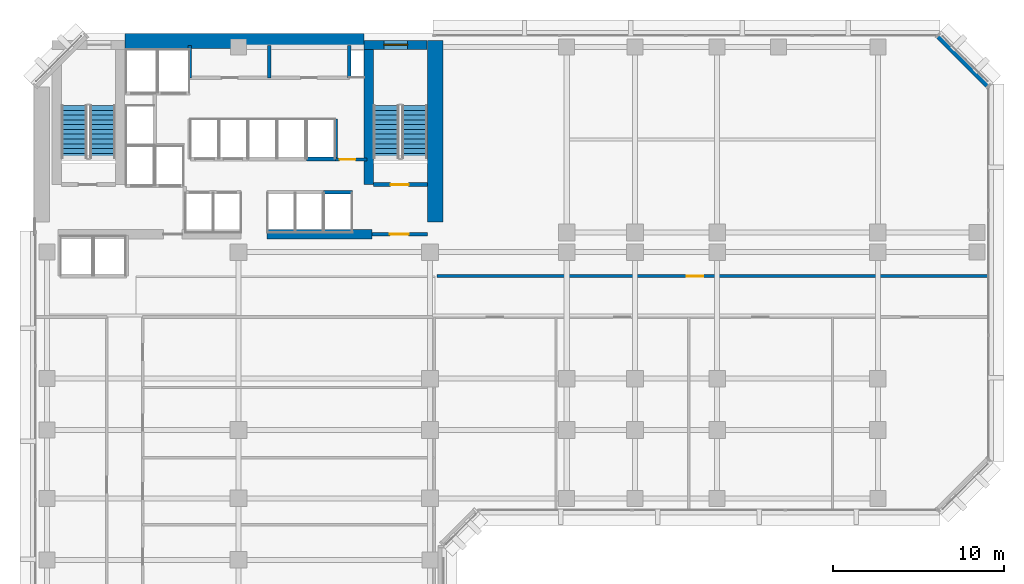
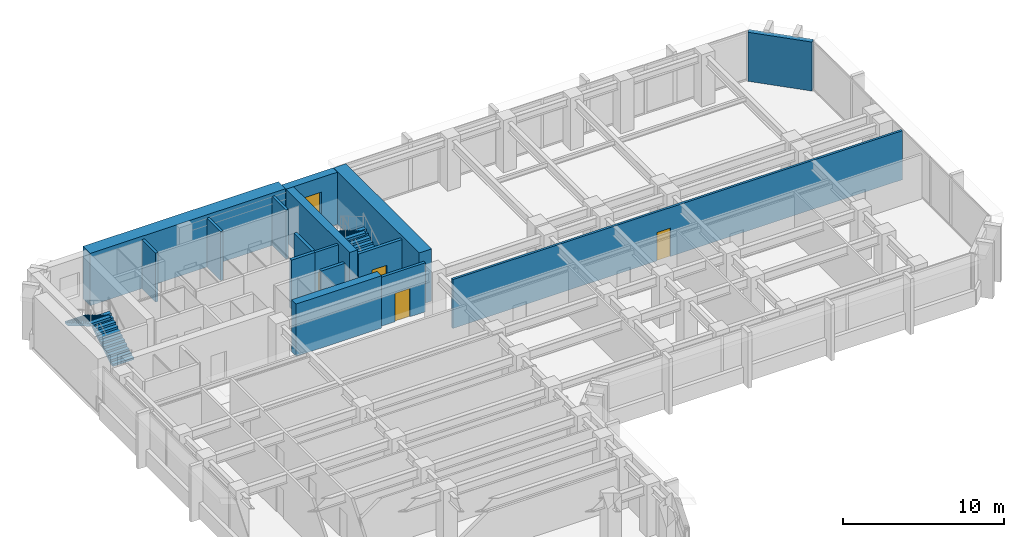
# One storey, part 8 of 13: 16 walls, 4 doors, 4 stair flights, 1 window, 5 openings, 2 elements without a shape of their own.
"""IFC4 building model written with IfcOpenShell, lengths in metres."""

from ifc_helpers import new_model, si_unit, direction, frame, frame_2d, origin, place, context, subcontext, project, spatial, polyline, rectangle, outline, extrude, material, layer, layer_set, type_object, element, fill, aggregate, save


model = new_model("IFC4")

# Units and contexts
model_context = context("Model", 3, precision=1e-05, world=origin(), true_north=direction((0.0, 1.0)))
body_context = subcontext(model_context, "Body", "Model", "MODEL_VIEW")
ifc_project = project(units=[si_unit("LENGTHUNIT", "METRE"), si_unit("AREAUNIT", "SQUARE_METRE"), si_unit("VOLUMEUNIT", "CUBIC_METRE"), si_unit("PLANEANGLEUNIT", "RADIAN"), si_unit("MASSUNIT", "GRAM", prefix="KILO")], contexts=[model_context])

# Site, building, storey
site_placement = place(None, origin())
site = spatial("IfcSite", under=ifc_project, at=site_placement, CompositionType="ELEMENT")
building_placement = place(site_placement, origin())
building = spatial("IfcBuilding", under=site, at=building_placement, Name="Kefirva Bronze Tower", CompositionType="ELEMENT")
storey_placement = place(building_placement, frame((0.0, 0.0, 85.800048828125)))
storey = spatial("IfcBuildingStorey", under=building, at=storey_placement, Name="L20", CompositionType="ELEMENT", Elevation=85.800048828125)

# Wall, opening, door
ifc_material_1 = material(Name="Gypsum fireboard shaftwall")
ifc_layer_1 = layer(ifc_material_1, 0.219970703125, Name="Gypsum fireboard shaftwall")
ifc_layer_set_1 = layer_set([ifc_layer_1], Name="Gypsum fireboard shaftwall")
wall_type_1 = type_object("IfcWallType", Name="Fire-Rated Shaft Enclosure Wall 220mm", PredefinedType="PARTITIONING", material=ifc_layer_set_1)
wall_1_placement = place(storey_placement, frame((19.89990234375, 37.14990234375, 0.0), z_axis=(0.0, 0.0, 1.0), x_axis=(1.0, 0.0, 0.0)))
wall_1 = element("IfcWall", 1, at=wall_1_placement, inside=storey, type_object=wall_type_1, Name="L20 Partition W-L20-ST2S", PredefinedType="PARTITIONING", context=body_context, shape_type="SweptSolid", body=[
    extrude(rectangle(XDim=3.150146484375, YDim=0.219970703125, at=frame_2d((1.5751953125, 0.0))), origin(), (0.0, 0.0, 1.0), 3.7099609375),
])
opening_1_placement = place(wall_1_placement, frame((2.050048828125, 0.0, 0.0), z_axis=(0.0, 0.0, 1.0), x_axis=(-1.0, 0.0, 0.0)))
opening_1 = element("IfcOpeningElement", 2, at=opening_1_placement, cuts=wall_1, Name="Opening L20-D003", PredefinedType="OPENING", context=body_context, shape_type="SweptSolid", body=[
    extrude(rectangle(XDim=1.050048828125, YDim=2.14990234375, at=frame_2d((0.52490234375, 1.074951171875))), frame((0.0, 0.1201171875, 0.0), z_axis=(0.0, -1.0, 0.0), x_axis=(1.0, 0.0, 0.0)), (0.0, 0.0, 1.0), 0.239990234375),
])
ifc_material_2 = material(Name="Painted galvanized steel", Category="steel")
door_type_1 = type_object("IfcDoorType", Name="Fire Stair Enclosure Door 1050x2150 FD90S", OperationType="NOTDEFINED", PredefinedType="DOOR", material=ifc_material_2)
door_1_placement = place(opening_1_placement, origin())
door_1 = element("IfcDoor", 3, at=door_1_placement, inside=storey, type_object=door_type_1, Name="Door L20-D003", OperationType="SINGLE_SWING_RIGHT", OverallHeight=2.14990234375, OverallWidth=1.050048828125, PredefinedType="DOOR", context=body_context, shape_type="SweptSolid", body=[
    extrude(rectangle(XDim=1.050048828125, YDim=2.14990234375, at=frame_2d((0.52490234375, 1.074951171875))), frame((0.0, 0.02490234375, 0.0), z_axis=(0.0, -1.0, 0.0), x_axis=(1.0, 0.0, 0.0)), (0.0, 0.0, 1.0), 0.050048828125),
])
fill(opening_1, door_1)

# Walls
wall_2_placement = place(storey_placement, frame((17.679931640625, 38.64990234375, 0.0), z_axis=(0.0, 0.0, 1.0), x_axis=(0.0, 1.0, 0.0)))
element("IfcWall", 4, at=wall_2_placement, inside=storey, type_object=wall_type_1, Name="L20 Partition W-L20-HP2E", PredefinedType="PARTITIONING", context=body_context, shape_type="SweptSolid", body=[
    extrude(rectangle(XDim=2.35009765625, YDim=0.199951171875, at=frame_2d((1.175048828125, 0.0))), origin(), (0.0, 0.0, 1.0), 3.7099609375),
])
wall_3_placement = place(storey_placement, frame((16.97998046875, 36.699951171875, 0.0), z_axis=(0.0, 0.0, 1.0), x_axis=(1.0, 0.0, 0.0)))
element("IfcWall", 5, at=wall_3_placement, inside=storey, type_object=wall_type_1, Name="L20 Partition W-L20-HPS", PredefinedType="PARTITIONING", context=body_context, shape_type="SweptSolid", body=[
    extrude(rectangle(XDim=1.699951171875, YDim=0.219970703125, at=frame_2d((0.85009765625, 0.0))), origin(), (0.0, 0.0, 1.0), 3.7099609375),
])
wall_4_placement = place(storey_placement, frame((15.97998046875, 38.64990234375, 0.0), z_axis=(0.0, 0.0, 1.0), x_axis=(1.0, 0.0, 0.0)))
element("IfcWall", 6, at=wall_4_placement, inside=storey, type_object=wall_type_1, Name="L20 Partition W-L20-HPN", PredefinedType="PARTITIONING", context=body_context, shape_type="SweptSolid", body=[
    extrude(rectangle(XDim=1.719970703125, YDim=0.219970703125, at=frame_2d((0.85986328125, 0.0))), origin(), (0.0, 0.0, 1.0), 3.7099609375),
])

# Wall, opening, door
ifc_material_3 = material(Name="Gypsum fireboard barrier")
ifc_layer_2 = layer(ifc_material_3, 0.199951171875, Name="Gypsum fireboard barrier")
ifc_layer_set_2 = layer_set([ifc_layer_2], Name="Gypsum fireboard barrier")
wall_type_2 = type_object("IfcWallType", Name="Firefighting Lobby Barrier Wall 200mm", PredefinedType="PARTITIONING", material=ifc_layer_set_2)
wall_5_placement = place(storey_placement, frame((19.800048828125, 34.25, 0.0), z_axis=(0.0, 0.0, 1.0), x_axis=(1.0, 0.0, 0.0)))
wall_5 = element("IfcWall", 7, at=wall_5_placement, inside=storey, type_object=wall_type_2, Name="L20 Partition W-L20-ST2F", PredefinedType="PARTITIONING", context=body_context, shape_type="SweptSolid", body=[
    extrude(rectangle(XDim=3.25, YDim=0.199951171875, at=frame_2d((1.625, 0.0))), origin(), (0.0, 0.0, 1.0), 3.7099609375),
])
opening_2_placement = place(wall_5_placement, frame((2.150146484375, 0.0, 0.0), z_axis=(0.0, 0.0, 1.0), x_axis=(-1.0, 0.0, 0.0)))
opening_2 = element("IfcOpeningElement", 8, at=opening_2_placement, cuts=wall_5, Name="Opening L20-D004", PredefinedType="OPENING", context=body_context, shape_type="SweptSolid", body=[
    extrude(rectangle(XDim=1.10009765625, YDim=2.14990234375, at=frame_2d((0.550048828125, 1.074951171875))), frame((0.0, 0.10986328125, 0.0), z_axis=(0.0, -1.0, 0.0), x_axis=(1.0, 0.0, 0.0)), (0.0, 0.0, 1.0), 0.219970703125),
])
door_type_2 = type_object("IfcDoorType", Name="Firefighting Lobby Smoke Door 1100x2150 FD60S", OperationType="NOTDEFINED", PredefinedType="DOOR", material=ifc_material_2)
door_2_placement = place(opening_2_placement, origin())
door_2 = element("IfcDoor", 9, at=door_2_placement, inside=storey, type_object=door_type_2, Name="Door L20-D004", OperationType="SINGLE_SWING_LEFT", OverallHeight=2.14990234375, OverallWidth=1.10009765625, PredefinedType="DOOR", context=body_context, shape_type="SweptSolid", body=[
    extrude(rectangle(XDim=1.10009765625, YDim=2.14990234375, at=frame_2d((0.550048828125, 1.074951171875))), frame((0.0, 0.02490234375, 0.0), z_axis=(0.0, -1.0, 0.0), x_axis=(1.0, 0.0, 0.0)), (0.0, 0.0, 1.0), 0.050048828125),
])
fill(opening_2, door_2)

wall_6_placement = place(storey_placement, frame((17.679931640625, 38.6201171875, 0.0), z_axis=(0.0, 0.0, 1.0), x_axis=(1.0, 0.0, 0.0)))
wall_6 = element("IfcWall", 10, at=wall_6_placement, inside=storey, type_object=wall_type_2, Name="L20 Partition W-L20-CPASS", PredefinedType="PARTITIONING", context=body_context, shape_type="SweptSolid", body=[
    extrude(rectangle(XDim=1.840087890625, YDim=0.179931640625, at=frame_2d((0.919921875, 0.0))), origin(), (0.0, 0.0, 1.0), 3.7099609375),
])
opening_3_placement = place(wall_6_placement, frame((0.239990234375, 0.0, 0.0)))
opening_3 = element("IfcOpeningElement", 11, at=opening_3_placement, cuts=wall_6, Name="Opening L20-D-CPAS", PredefinedType="OPENING", context=body_context, shape_type="SweptSolid", body=[
    extrude(rectangle(XDim=0.919921875, YDim=2.10009765625, at=frame_2d((0.4599609375, 1.050048828125))), frame((0.0, 0.10009765625, 0.0), z_axis=(0.0, -1.0, 0.0), x_axis=(1.0, 0.0, 0.0)), (0.0, 0.0, 1.0), 0.199951171875),
])
ifc_material_4 = material(Name="Moisture-resistant timber", Category="wood")
door_type_3 = type_object("IfcDoorType", Name="Accessible Sanitary & WC Door 920x2100", OperationType="NOTDEFINED", PredefinedType="DOOR", material=ifc_material_4)
door_3_placement = place(opening_3_placement, origin())
door_3 = element("IfcDoor", 12, at=door_3_placement, inside=storey, type_object=door_type_3, Name="Door L20-D-CPAS", OperationType="SINGLE_SWING_RIGHT", OverallHeight=2.10009765625, OverallWidth=0.919921875, PredefinedType="DOOR", context=body_context, shape_type="SweptSolid", body=[
    extrude(rectangle(XDim=0.919921875, YDim=2.10009765625, at=frame_2d((0.4599609375, 1.050048828125))), frame((0.0, 0.02490234375, 0.0), z_axis=(0.0, -1.0, 0.0), x_axis=(1.0, 0.0, 0.0)), (0.0, 0.0, 1.0), 0.050048828125),
])
fill(opening_3, door_3)

# Wall
ifc_material_5 = material(Name="Precast concrete C40/50", Category="concrete")
ifc_layer_3 = layer(ifc_material_5, 0.320068359375, Name="Precast concrete C40/50")
ifc_layer_set_3 = layer_set([ifc_layer_3], Name="Precast concrete C40/50")
wall_type_3 = type_object("IfcWallType", Name="Precast Insulated Exterior Wall 320mm", PredefinedType="SOLIDWALL", material=ifc_layer_set_3)
wall_7_placement = place(storey_placement, frame((55.847900390625, 42.92578125, 0.0), z_axis=(0.0, 0.0, 1.0), x_axis=(-0.707106781187, 0.707106781187, 0.0)))
element("IfcWall", 13, at=wall_7_placement, inside=storey, type_object=wall_type_3, Name="L20 Exterior Facade Wall 5", PredefinedType="SOLIDWALL", context=body_context, shape_type="SweptSolid", body=[
    extrude(rectangle(XDim=4.132568359375, YDim=0.320068359375, at=frame_2d((2.06640625, 0.0))), origin(), (0.0, 0.0, 1.0), 3.7099609375),
])

# Wall, opening, door
ifc_material_6 = material(Name="Gypsum acoustic partition")
ifc_layer_4 = layer(ifc_material_6, 0.159912109375, Name="Gypsum acoustic partition")
ifc_layer_set_4 = layer_set([ifc_layer_4], Name="Gypsum acoustic partition")
wall_type_4 = type_object("IfcWallType", Name="Protected Corridor Partition 160mm", PredefinedType="PARTITIONING", material=ifc_layer_set_4)
wall_8_placement = place(storey_placement, frame((23.60009765625, 31.800048828125, 0.0), z_axis=(0.0, 0.0, 1.0), x_axis=(1.0, 0.0, 0.0)))
wall_8 = element("IfcWall", 14, at=wall_8_placement, inside=storey, type_object=wall_type_4, Name="L20 Partition W-L20-EWN", PredefinedType="PARTITIONING", context=body_context, shape_type="SweptSolid", body=[
    extrude(rectangle(XDim=32.2099609375, YDim=0.159912109375, at=frame_2d((16.10498046875, 0.0))), origin(), (0.0, 0.0, 1.0), 3.7099609375),
])
opening_4_placement = place(wall_8_placement, frame((14.6298828125, 0.0, 0.0)))
opening_4 = element("IfcOpeningElement", 15, at=opening_4_placement, cuts=wall_8, Name="Opening L20-D-EN1", PredefinedType="OPENING", context=body_context, shape_type="SweptSolid", body=[
    extrude(rectangle(XDim=0.949951171875, YDim=2.14990234375, at=frame_2d((0.47509765625, 1.074951171875))), frame((0.0, 0.08984375, 0.0), z_axis=(0.0, -1.0, 0.0), x_axis=(1.0, 0.0, 0.0)), (0.0, 0.0, 1.0), 0.179931640625),
])
ifc_material_7 = material(Name="Acoustic hardwood oak", Category="wood")
door_type_4 = type_object("IfcDoorType", Name="Office & Meeting Room Door 950x2150", OperationType="NOTDEFINED", PredefinedType="DOOR", material=ifc_material_7)
door_4_placement = place(opening_4_placement, origin())
door_4 = element("IfcDoor", 16, at=door_4_placement, inside=storey, type_object=door_type_4, Name="Door L20-D-EN1", OperationType="SINGLE_SWING_RIGHT", OverallHeight=2.14990234375, OverallWidth=0.949951171875, PredefinedType="DOOR", context=body_context, shape_type="SweptSolid", body=[
    extrude(rectangle(XDim=0.949951171875, YDim=2.14990234375, at=frame_2d((0.47509765625, 1.074951171875))), frame((0.0, 0.02490234375, 0.0), z_axis=(0.0, -1.0, 0.0), x_axis=(1.0, 0.0, 0.0)), (0.0, 0.0, 1.0), 0.050048828125),
])
fill(opening_4, door_4)

# Wall, opening, window
ifc_material_8 = material(Name="Concrete C50/60", Category="concrete")
ifc_layer_5 = layer(ifc_material_8, 0.550048828125, Name="Concrete C50/60")
ifc_layer_set_5 = layer_set([ifc_layer_5], Name="Concrete C50/60")
wall_type_5 = type_object("IfcWallType", Name="RC Rear Core Exterior Wall 550mm", PredefinedType="SHEAR", material=ifc_layer_set_5)
wall_9_placement = place(storey_placement, frame((19.35009765625, 45.320068359375, 0.0), z_axis=(0.0, 0.0, 1.0), x_axis=(1.0, 0.0, 0.0)))
wall_9 = element("IfcWall", 17, at=wall_9_placement, inside=storey, type_object=wall_type_5, Name="L20 Stair 2 North Shear Wall", PredefinedType="SHEAR", context=body_context, shape_type="SweptSolid", body=[
    extrude(rectangle(XDim=3.68994140625, YDim=0.550048828125, at=frame_2d((1.844970703125, 0.0))), origin(), (0.0, 0.0, 1.0), 3.9599609375),
])
opening_5_placement = place(wall_9_placement, frame((1.14990234375, 0.0, 1.050048828125)))
opening_5 = element("IfcOpeningElement", 18, at=opening_5_placement, cuts=wall_9, Name="Opening WN-03", PredefinedType="OPENING", context=body_context, shape_type="SweptSolid", body=[
    extrude(rectangle(XDim=1.39990234375, YDim=1.800048828125, at=frame_2d((0.699951171875, 0.89990234375))), frame((0.0, 0.28515625, 0.0), z_axis=(0.0, -1.0, 0.0), x_axis=(1.0, 0.0, 0.0)), (0.0, 0.0, 1.0), 0.570068359375),
])
ifc_material_9 = material(Name="Laminated low-E double glazing", Category="glass")
window_type = type_object("IfcWindowType", Name="Rear-Core Stair Daylight Window 1400x1800", PartitioningType="SINGLE_PANEL", PredefinedType="WINDOW", material=ifc_material_9)
window_placement = place(opening_5_placement, origin())
window = element("IfcWindow", 19, at=window_placement, inside=storey, type_object=window_type, Name="L20 Stair 2 Daylight Window", OverallHeight=1.800048828125, OverallWidth=1.39990234375, PartitioningType="SINGLE_PANEL", PredefinedType="WINDOW", context=body_context, shape_type="SweptSolid", body=[
    extrude(rectangle(XDim=1.39990234375, YDim=1.800048828125, at=frame_2d((0.699951171875, 0.89990234375))), frame((0.0, 0.030029296875, 0.0), z_axis=(0.0, -1.0, 0.0), x_axis=(1.0, 0.0, 0.0)), (0.0, 0.0, 1.0), 0.06005859375),
])
fill(opening_5, window)

# Walls
ifc_material_10 = material(Name="Concrete C60/75", Category="concrete")
ifc_layer_6 = layer(ifc_material_10, 0.89990234375, Name="Concrete C60/75")
ifc_layer_set_6 = layer_set([ifc_layer_6], Name="Concrete C60/75")
wall_type_6 = type_object("IfcWallType", Name="RC Rear Core Exterior Wall 900mm", PredefinedType="SHEAR", material=ifc_layer_set_6)
wall_10_placement = place(storey_placement, frame((5.360107421875, 45.550048828125, 0.0), z_axis=(0.0, 0.0, 1.0), x_axis=(1.0, 0.0, 0.0)))
element("IfcWall", 20, at=wall_10_placement, inside=storey, type_object=wall_type_6, Name="L20 Rear Core North Shear Wall", PredefinedType="SHEAR", context=body_context, shape_type="SweptSolid", body=[
    extrude(rectangle(XDim=13.97998046875, YDim=0.89990234375, at=frame_2d((6.989990234375, 0.0))), origin(), (0.0, 0.0, 1.0), 3.9599609375),
])
ifc_layer_7 = layer(ifc_material_8, 0.550048828125, Name="Concrete C50/60")
ifc_layer_set_7 = layer_set([ifc_layer_7], Name="Concrete C50/60")
wall_type_7 = type_object("IfcWallType", Name="RC Rear Core Interior Wall 550mm", PredefinedType="SHEAR", material=ifc_layer_set_7)
wall_11_placement = place(storey_placement, frame((19.6201171875, 37.14990234375, 0.0), z_axis=(0.0, 0.0, 1.0), x_axis=(0.0, 1.0, 0.0)))
element("IfcWall", 21, at=wall_11_placement, inside=storey, type_object=wall_type_7, Name="L20 Stair 2 West Shear Wall", PredefinedType="SHEAR", context=body_context, shape_type="SweptSolid", body=[
    extrude(rectangle(XDim=7.89013671875, YDim=0.550048828125, at=frame_2d((3.945068359375, 0.0))), origin(), (0.0, 0.0, 1.0), 3.9599609375),
])
ifc_layer_8 = layer(ifc_material_10, 0.89990234375, Name="Concrete C60/75")
ifc_layer_set_8 = layer_set([ifc_layer_8], Name="Concrete C60/75")
wall_type_8 = type_object("IfcWallType", Name="RC Rear Core Interior Wall 900mm", PredefinedType="SHEAR", material=ifc_layer_set_8)
wall_12_placement = place(storey_placement, frame((23.5, 34.949951171875, 0.0), z_axis=(0.0, 0.0, 1.0), x_axis=(0.0, 1.0, 0.0)))
element("IfcWall", 22, at=wall_12_placement, inside=storey, type_object=wall_type_8, Name="L20 Rear Core East Shear Wall", PredefinedType="SHEAR", context=body_context, shape_type="SweptSolid", body=[
    extrude(rectangle(XDim=10.64013671875, YDim=0.89990234375, at=frame_2d((5.320068359375, 0.0))), origin(), (0.0, 0.0, 1.0), 3.9599609375),
])
wall_13_placement = place(storey_placement, frame((13.679931640625, 34.25, 0.0), z_axis=(0.0, 0.0, 1.0), x_axis=(1.0, 0.0, 0.0)))
element("IfcWall", 23, at=wall_13_placement, inside=storey, type_object=wall_type_8, Name="L20 Rear Core South-East Shear Wall", PredefinedType="SHEAR", context=body_context, shape_type="SweptSolid", body=[
    extrude(rectangle(XDim=6.1201171875, YDim=0.550048828125, at=frame_2d((3.06005859375, 0.0))), origin(), (0.0, 0.0, 1.0), 3.9599609375),
])
ifc_material_11 = material(Name="Moisture-resistant partition")
ifc_layer_9 = layer(ifc_material_11, 0.179931640625, Name="Moisture-resistant partition")
ifc_layer_set_9 = layer_set([ifc_layer_9], Name="Moisture-resistant partition")
wall_type_9 = type_object("IfcWallType", Name="Sanitary Plumbing Chase Wall 180mm", PredefinedType="PLUMBINGWALL", material=ifc_layer_set_9)
for number, where, z_axis, x_axis, name in (
    (24, (9.14990234375, 43.39990234375, 0.0), (0.0, 0.0, 1.0), (0.0, 1.0, 0.0), "L20 Partition W-L20-SVCW"),
    (25, (18.47998046875, 43.39990234375, 0.0), (0.0, 0.0, 1.0), (0.0, 1.0, 0.0), "L20 Partition W-L20-SVCE"),
    (26, (13.800048828125, 43.39990234375, 0.0), (0.0, 0.0, 1.0), (0.0, 1.0, 0.0), "L20 Partition W-L20-CSVD-1"),
):
    element("IfcWall", number, at=place(storey_placement, frame(where, z_axis=z_axis, x_axis=x_axis)), inside=storey, type_object=wall_type_9, Name=name, PredefinedType="PLUMBINGWALL", context=body_context, shape_type="SweptSolid", body=[
        extrude(rectangle(XDim=1.880126953125, YDim=0.179931640625, at=frame_2d((0.93994140625, 0.0))), origin(), (0.0, 0.0, 1.0), 3.7099609375),
    ])

# Stair, stair flights
ifc_material_12 = material(Name="Concrete C40/50", Category="concrete")
stair_type = type_object("IfcStairType", Name="RC Dogleg Protected Stair 24R", PredefinedType="HALF_TURN_STAIR", material=ifc_material_12)
stair_1_placement = place(storey_placement, origin())
stair_1 = element("IfcStair", 27, at=stair_1_placement, inside=storey, type_object=stair_type, Name="L20 Protected Exit Stair 1", PredefinedType="HALF_TURN_STAIR")
stair_flight_type = type_object("IfcStairFlightType", Name="RC Straight Stair Flight 24R", PredefinedType="STRAIGHT", material=ifc_material_12)
stair_flight_1_placement = place(storey_placement, frame((4.050048828125, 38.699951171875, 0.0), z_axis=(0.0, 0.0, 1.0), x_axis=(0.0, 1.0, 0.0)))
stair_flight_1 = element("IfcStairFlight", 28, at=stair_flight_1_placement, type_object=stair_flight_type, Name="ST-1 flight 1", NumberOfRisers=12, NumberOfTreads=11, PredefinedType="STRAIGHT", RiserHeight=0.165, TreadLength=0.28, context=body_context, shape_type="SweptSolid", body=[
    extrude(outline(polyline([(0.0, 0.0), (0.0, 0.1650390625), (0.280029296875, 0.1650390625), (0.280029296875, 0.330078125), (0.56005859375, 0.330078125), (0.56005859375, 0.4951171875), (0.840087890625, 0.4951171875), (0.840087890625, 0.659912109375), (1.1201171875, 0.659912109375), (1.1201171875, 0.824951171875), (1.39990234375, 0.824951171875), (1.39990234375, 0.989990234375), (1.679931640625, 0.989990234375), (1.679931640625, 1.155029296875), (1.9599609375, 1.155029296875), (1.9599609375, 1.320068359375), (2.239990234375, 1.320068359375), (2.239990234375, 1.485107421875), (2.52001953125, 1.485107421875), (2.52001953125, 1.64990234375), (2.800048828125, 1.64990234375), (2.800048828125, 1.81494140625), (3.080078125, 1.81494140625), (3.080078125, 1.97998046875), (3.080078125, 1.64111328125), (0.295166015625, 0.0), (0.0, 0.0)])), frame((0.0, 0.75, 0.0), z_axis=(0.0, -1.0, 0.0), x_axis=(1.0, 0.0, 0.0)), (0.0, 0.0, 1.0), 1.5),
])
stair_flight_2_placement = place(storey_placement, frame((2.39990234375, 41.780029296875, 1.97998046875), z_axis=(0.0, 0.0, 1.0), x_axis=(0.0, -1.0, 0.0)))
stair_flight_2 = element("IfcStairFlight", 29, at=stair_flight_2_placement, type_object=stair_flight_type, Name="ST-1 flight 2", NumberOfRisers=12, NumberOfTreads=11, PredefinedType="STRAIGHT", RiserHeight=0.165, TreadLength=0.28, context=body_context, shape_type="SweptSolid", body=[
    extrude(outline(polyline([(0.0, 0.0), (0.0, 0.1650390625), (0.280029296875, 0.1650390625), (0.280029296875, 0.330078125), (0.56005859375, 0.330078125), (0.56005859375, 0.4951171875), (0.840087890625, 0.4951171875), (0.840087890625, 0.659912109375), (1.1201171875, 0.659912109375), (1.1201171875, 0.824951171875), (1.39990234375, 0.824951171875), (1.39990234375, 0.989990234375), (1.679931640625, 0.989990234375), (1.679931640625, 1.155029296875), (1.9599609375, 1.155029296875), (1.9599609375, 1.320068359375), (2.239990234375, 1.320068359375), (2.239990234375, 1.485107421875), (2.52001953125, 1.485107421875), (2.52001953125, 1.64990234375), (2.800048828125, 1.64990234375), (2.800048828125, 1.81494140625), (3.080078125, 1.81494140625), (3.080078125, 1.97998046875), (3.080078125, 1.64111328125), (0.295166015625, 0.0), (0.0, 0.0)])), frame((0.0, 0.75, 0.0), z_axis=(0.0, -1.0, 0.0), x_axis=(1.0, 0.0, 0.0)), (0.0, 0.0, 1.0), 1.5),
])
aggregate(stair_1, [stair_flight_1, stair_flight_2])

stair_2_placement = place(storey_placement, origin())
stair_2 = element("IfcStair", 30, at=stair_2_placement, inside=storey, type_object=stair_type, Name="L20 Protected Exit Stair 2", PredefinedType="HALF_TURN_STAIR")
stair_flight_3_placement = place(storey_placement, frame((22.300048828125, 38.699951171875, 0.0), z_axis=(0.0, 0.0, 1.0), x_axis=(0.0, 1.0, 0.0)))
stair_flight_3 = element("IfcStairFlight", 31, at=stair_flight_3_placement, type_object=stair_flight_type, Name="ST-2 flight 1", NumberOfRisers=12, NumberOfTreads=11, PredefinedType="STRAIGHT", RiserHeight=0.165, TreadLength=0.28, context=body_context, shape_type="SweptSolid", body=[
    extrude(outline(polyline([(0.0, 0.0), (0.0, 0.1650390625), (0.280029296875, 0.1650390625), (0.280029296875, 0.330078125), (0.56005859375, 0.330078125), (0.56005859375, 0.4951171875), (0.840087890625, 0.4951171875), (0.840087890625, 0.659912109375), (1.1201171875, 0.659912109375), (1.1201171875, 0.824951171875), (1.39990234375, 0.824951171875), (1.39990234375, 0.989990234375), (1.679931640625, 0.989990234375), (1.679931640625, 1.155029296875), (1.9599609375, 1.155029296875), (1.9599609375, 1.320068359375), (2.239990234375, 1.320068359375), (2.239990234375, 1.485107421875), (2.52001953125, 1.485107421875), (2.52001953125, 1.64990234375), (2.800048828125, 1.64990234375), (2.800048828125, 1.81494140625), (3.080078125, 1.81494140625), (3.080078125, 1.97998046875), (3.080078125, 1.64111328125), (0.295166015625, 0.0), (0.0, 0.0)])), frame((0.0, 0.75, 0.0), z_axis=(0.0, -1.0, 0.0), x_axis=(1.0, 0.0, 0.0)), (0.0, 0.0, 1.0), 1.5),
])
stair_flight_4_placement = place(storey_placement, frame((20.64990234375, 41.780029296875, 1.97998046875), z_axis=(0.0, 0.0, 1.0), x_axis=(0.0, -1.0, 0.0)))
stair_flight_4 = element("IfcStairFlight", 32, at=stair_flight_4_placement, type_object=stair_flight_type, Name="ST-2 flight 2", NumberOfRisers=12, NumberOfTreads=11, PredefinedType="STRAIGHT", RiserHeight=0.165, TreadLength=0.28, context=body_context, shape_type="SweptSolid", body=[
    extrude(outline(polyline([(0.0, 0.0), (0.0, 0.1650390625), (0.280029296875, 0.1650390625), (0.280029296875, 0.330078125), (0.56005859375, 0.330078125), (0.56005859375, 0.4951171875), (0.840087890625, 0.4951171875), (0.840087890625, 0.659912109375), (1.1201171875, 0.659912109375), (1.1201171875, 0.824951171875), (1.39990234375, 0.824951171875), (1.39990234375, 0.989990234375), (1.679931640625, 0.989990234375), (1.679931640625, 1.155029296875), (1.9599609375, 1.155029296875), (1.9599609375, 1.320068359375), (2.239990234375, 1.320068359375), (2.239990234375, 1.485107421875), (2.52001953125, 1.485107421875), (2.52001953125, 1.64990234375), (2.800048828125, 1.64990234375), (2.800048828125, 1.81494140625), (3.080078125, 1.81494140625), (3.080078125, 1.97998046875), (3.080078125, 1.64111328125), (0.295166015625, 0.0), (0.0, 0.0)])), frame((0.0, 0.75, 0.0), z_axis=(0.0, -1.0, 0.0), x_axis=(1.0, 0.0, 0.0)), (0.0, 0.0, 1.0), 1.5),
])
aggregate(stair_2, [stair_flight_3, stair_flight_4])

save(model, "model.ifc")
